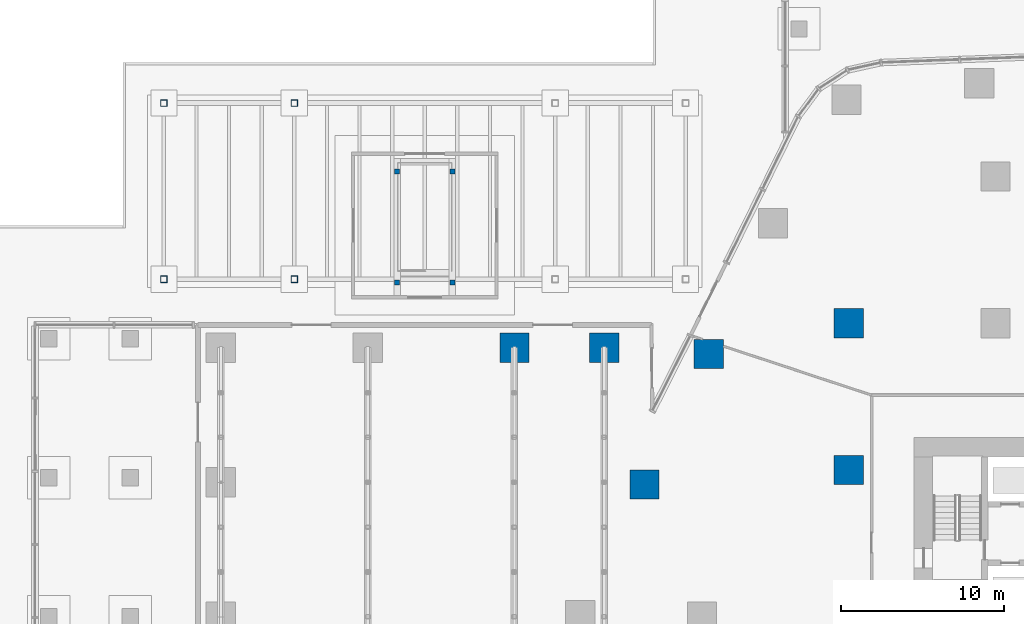
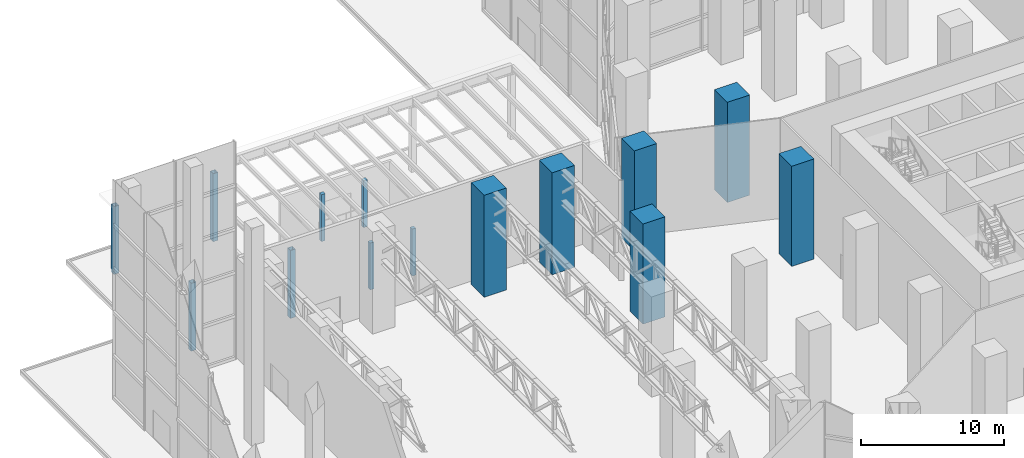
# One storey, part 6 of 40: 14 columns.
"""IFC4 building model written with IfcOpenShell, lengths in metres."""

from ifc_helpers import new_model, si_unit, direction, frame, origin, origin_2d, place, context, subcontext, project, spatial, rectangle, hollow_rectangle, extrude, material, material_profile, profile_set, type_object, element, save


model = new_model("IFC4")

# Units and contexts
model_context = context("Model", 3, precision=1e-05, world=origin(), true_north=direction((0.0, 1.0)))
body_context = subcontext(model_context, "Body", "Model", "MODEL_VIEW")
ifc_project = project(units=[si_unit("LENGTHUNIT", "METRE"), si_unit("AREAUNIT", "SQUARE_METRE"), si_unit("VOLUMEUNIT", "CUBIC_METRE"), si_unit("PLANEANGLEUNIT", "RADIAN"), si_unit("MASSUNIT", "GRAM", prefix="KILO")], contexts=[model_context])

# Site, building, storey
site_placement = place(None, origin())
site = spatial("IfcSite", under=ifc_project, at=site_placement, CompositionType="ELEMENT")
building_placement = place(site_placement, origin())
building = spatial("IfcBuilding", under=site, at=building_placement, Name="Dongbaek Canopy Tower", CompositionType="ELEMENT")
storey_placement = place(building_placement, origin())
storey = spatial("IfcBuildingStorey", under=building, at=storey_placement, Name="L00", CompositionType="ELEMENT", Elevation=0.0)

# Columns
ifc_material_1 = material(Name="Steel S355", Category="steel")
ifc_material_profile_1 = material_profile(ifc_material_1, rectangle(XDim=0.300048828125, YDim=0.300048828125, at=origin_2d()), Name="Pavilion column 300")
ifc_profile_set_1 = profile_set([ifc_material_profile_1], Name="Steel S355")
column_type_1 = type_object("IfcColumnType", Name="Pavilion column 300", PredefinedType="COLUMN", material=ifc_profile_set_1)
for number, where, z_axis, x_axis, name in (
    (1, (-45.699951171875, 20.5, 0.0), (0.0, 0.0, 1.0), (1.0, 0.0, 0.0), "Metro entrance B column 1"),
    (2, (-45.699951171875, 27.300048828125, 0.0), (0.0, 0.0, 1.0), (1.0, 0.0, 0.0), "Metro entrance B column 2"),
    (3, (-42.300048828125, 20.5, 0.0), (0.0, 0.0, 1.0), (1.0, 0.0, 0.0), "Metro entrance B column 3"),
    (4, (-42.300048828125, 27.300048828125, 0.0), (0.0, 0.0, 1.0), (1.0, 0.0, 0.0), "Metro entrance B column 4"),
):
    element("IfcColumn", number, at=place(storey_placement, frame(where, z_axis=z_axis, x_axis=x_axis)), inside=storey, type_object=column_type_1, Name=name, PredefinedType="COLUMN", context=body_context, shape_type="SweptSolid", body=[
        extrude(rectangle(XDim=0.300048828125, YDim=0.300048828125, at=origin_2d()), origin(), (0.0, 0.0, 1.0), 4.0),
    ])
ifc_material_2 = material(Name="Concrete C80", Category="concrete")
ifc_material_profile_2 = material_profile(ifc_material_2, rectangle(XDim=1.800048828125, YDim=1.800048828125, at=origin_2d()), Name="RC COLUMN 1800x1800 C80")
ifc_profile_set_2 = profile_set([ifc_material_profile_2], Name="Concrete C80")
column_type_2 = type_object("IfcColumnType", Name="RC COLUMN 1800x1800 C80", PredefinedType="COLUMN", material=ifc_profile_set_2)
for number, where, z_axis, x_axis, name in (
    (5, (-30.52490234375, 8.111083984375, 0.0), (0.0, 0.0, 1.0), (1.0, 0.0, 0.0), "COL:CP-11:L00"),
    (6, (-26.5859375, 16.117919921875, 0.0), (0.0, 0.0, 1.0), (1.0, 0.0, 0.0), "COL:CP-12:L00"),
    (7, (-18.0, 9.0, 0.0), (0.0, 0.0, 1.0), (1.0, 0.0, 0.0), "COL:CIP-06:L00"),
    (8, (-18.0, 18.0, 0.0), (0.0, 0.0, 1.0), (1.0, 0.0, 0.0), "COL:CIP-07:L00"),
):
    element("IfcColumn", number, at=place(storey_placement, frame(where, z_axis=z_axis, x_axis=x_axis)), inside=storey, type_object=column_type_2, Name=name, PredefinedType="COLUMN", context=body_context, shape_type="SweptSolid", body=[
        extrude(rectangle(XDim=1.800048828125, YDim=1.800048828125, at=origin_2d()), origin(), (0.0, 0.0, 1.0), 8.550048828125),
    ])
for number, where, z_axis, x_axis, name in (
    (9, (-38.5, 16.5, 0.0), (0.0, 0.0, 1.0), (1.0, 0.0, 0.0), "COL:CWWW-06:L00"),
    (10, (-33.0, 16.5, 0.0), (0.0, 0.0, 1.0), (1.0, 0.0, 0.0), "COL:CWWW-08:L00"),
):
    element("IfcColumn", number, at=place(storey_placement, frame(where, z_axis=z_axis, x_axis=x_axis)), inside=storey, type_object=column_type_2, Name=name, PredefinedType="COLUMN", context=body_context, shape_type="SweptSolid", body=[
        extrude(rectangle(XDim=1.800048828125, YDim=1.800048828125, at=origin_2d()), origin(), (0.0, 0.0, 1.0), 8.699951171875),
    ])
ifc_material_3 = material(Name="Steel S355", Category="steel")
ifc_material_profile_3 = material_profile(ifc_material_3, hollow_rectangle(XDim=0.39990234375, YDim=0.39990234375, WallThickness=0.01611328125, at=origin_2d()), Name="STATION CANOPY COLUMN 400x400x16 Steel S355")
ifc_profile_set_3 = profile_set([ifc_material_profile_3], Name="Steel S355")
column_type_3 = type_object("IfcColumnType", Name="STATION CANOPY COLUMN 400x400x16 Steel S355", PredefinedType="COLUMN", material=ifc_profile_set_3)
for number, where, z_axis, x_axis, name in (
    (11, (-60.0, 20.699951171875, -0.300048828125), (0.0, 0.0, 1.0), (1.0, 0.0, 0.0), "Station canopy B column 1"),
    (12, (-60.0, 31.5, -0.300048828125), (0.0, 0.0, 1.0), (1.0, 0.0, 0.0), "Station canopy B column 2"),
    (13, (-52.0, 20.699951171875, -0.300048828125), (0.0, 0.0, 1.0), (1.0, 0.0, 0.0), "Station canopy B column 3"),
    (14, (-52.0, 31.5, -0.300048828125), (0.0, 0.0, 1.0), (1.0, 0.0, 0.0), "Station canopy B column 4"),
):
    element("IfcColumn", number, at=place(storey_placement, frame(where, z_axis=z_axis, x_axis=x_axis)), inside=storey, type_object=column_type_3, Name=name, PredefinedType="COLUMN", context=body_context, shape_type="SweptSolid", body=[
        extrude(hollow_rectangle(XDim=0.39990234375, YDim=0.39990234375, WallThickness=0.01611328125, at=origin_2d()), origin(), (0.0, 0.0, 1.0), 5.800048828125),
    ])

save(model, "model.ifc")
